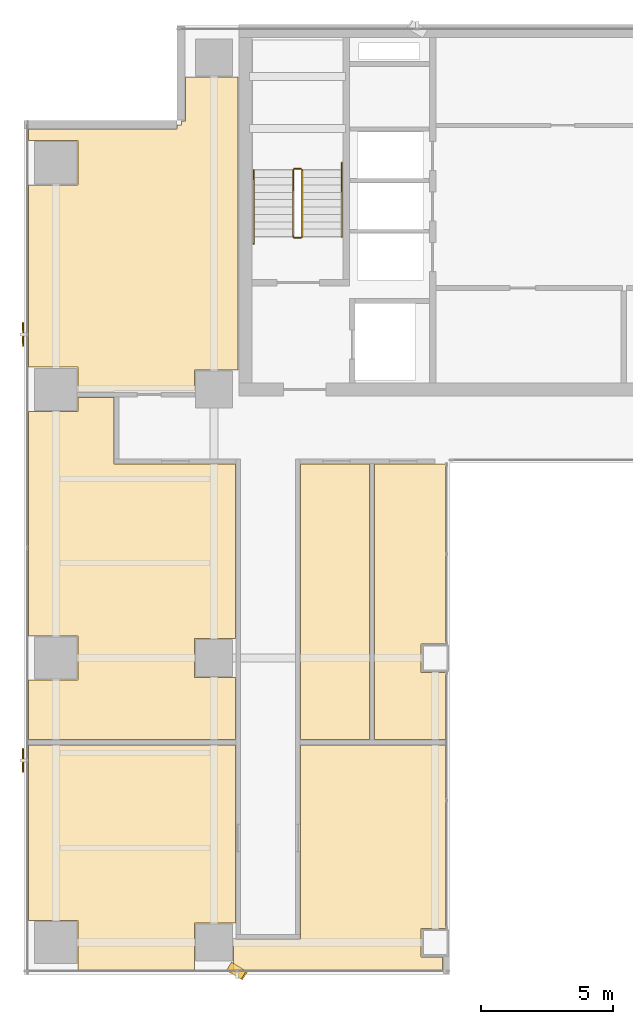
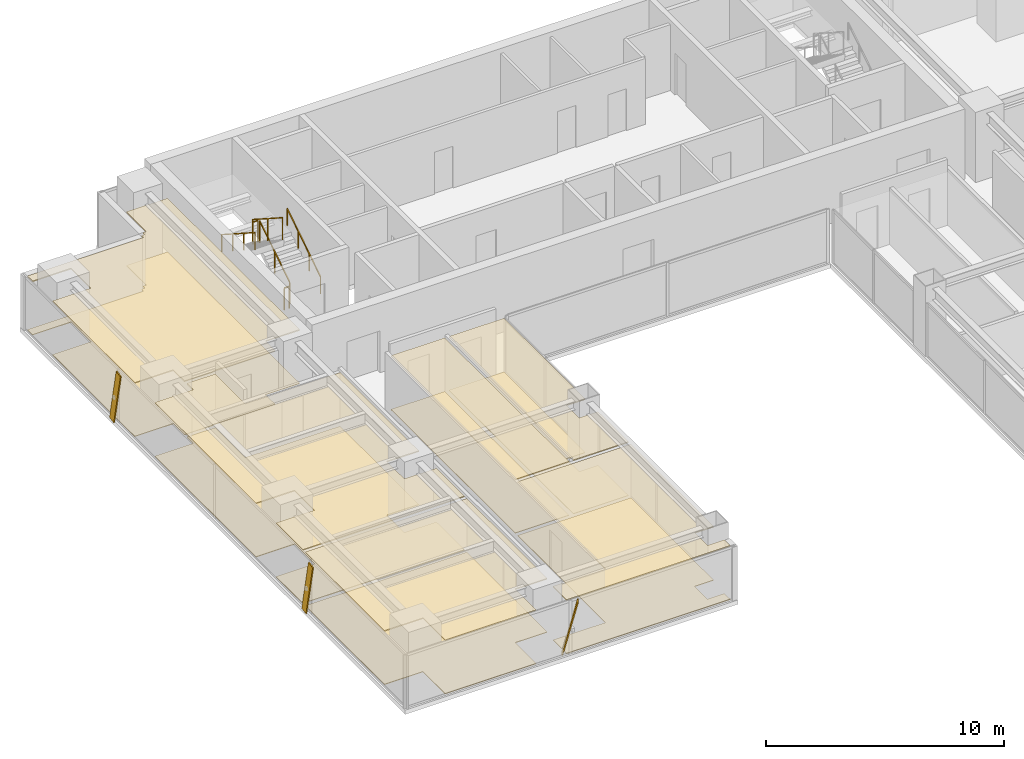
# One storey, part 28 of 31: 12 coverings, 6 railings, 3 shading devices.
"""IFC4 building model written with IfcOpenShell, lengths in metres."""

from ifc_helpers import new_model, si_unit, direction, frame, origin, origin_2d, place, context, subcontext, project, spatial, polyline, rectangle, outline, extrude, source, transform, mapped, material, layer, layer_set, material_profile, profile_set, type_object, element, save


model = new_model("IFC4")

# Units and contexts
model_context = context("Model", 3, precision=1e-05, world=origin(), true_north=direction((0.0, 1.0)))
body_context = subcontext(model_context, "Body", "Model", "MODEL_VIEW")
ifc_project = project(units=[si_unit("LENGTHUNIT", "METRE"), si_unit("AREAUNIT", "SQUARE_METRE"), si_unit("VOLUMEUNIT", "CUBIC_METRE"), si_unit("PLANEANGLEUNIT", "RADIAN"), si_unit("MASSUNIT", "GRAM", prefix="KILO")], contexts=[model_context])

# Site, building, storey
site_placement = place(None, origin())
site = spatial("IfcSite", under=ifc_project, at=site_placement, CompositionType="ELEMENT")
building_placement = place(site_placement, origin())
building = spatial("IfcBuilding", under=site, at=building_placement, Name="Sumidabori Civic Tower", CompositionType="ELEMENT")
storey_placement = place(building_placement, frame((0.0, 0.0, 221.60009765625)))
storey = spatial("IfcBuildingStorey", under=building, at=storey_placement, Name="L57", CompositionType="ELEMENT", Elevation=221.60009765625)

# Coverings
ifc_material_1 = material(Name="Anodised Bronze Baffle Ceiling")
ifc_layer_1 = layer(ifc_material_1, 0.054931640625, Name="Anodised Bronze Baffle Ceiling")
ifc_layer_set_1 = layer_set([ifc_layer_1], Name="Anodised Bronze Baffle Ceiling")
covering_type_1 = type_object("IfcCoveringType", Name="CV-CEIL-AC3", PredefinedType="CEILING", material=ifc_layer_set_1)
covering_1_placement = place(storey_placement, frame((0.0, 0.0, 2.72998046875)))
element("IfcCovering", 1, at=covering_1_placement, inside=storey, type_object=covering_type_1, Name="Room Acoustic Ceiling L57-01", PredefinedType="CEILING", context=body_context, shape_type="SweptSolid", body=[
    extrude(outline(polyline([(-23.830078125, 17.9599609375), (-21.9599609375, 17.9599609375), (-21.9599609375, 19.639892578125), (-23.830078125, 19.639892578125), (-23.830078125, 20.072021484375), (-18.19189453125, 20.072021484375), (-18.19189453125, 20.22998046875), (-18.030029296875, 20.22998046875), (-18.030029296875, 20.39208984375), (-17.8720703125, 20.39208984375), (-17.8720703125, 22.06005859375), (-15.8779296875, 22.06005859375), (-15.8779296875, 10.93994140625), (-17.5400390625, 10.93994140625), (-17.5400390625, 10.135009765625), (-20.5849609375, 10.135009765625), (-20.5849609375, 10.1025390625), (-21.9599609375, 10.1025390625), (-21.9599609375, 11.0400390625), (-23.830078125, 11.0400390625), (-23.830078125, 17.9599609375)])), origin(), (0.0, 0.0, 1.0), 0.054931640625),
])
covering_2_placement = place(storey_placement, frame((0.0, 0.0, 2.72998046875)))
element("IfcCovering", 2, at=covering_2_placement, inside=storey, type_object=covering_type_1, Name="Room Acoustic Ceiling L57-03", PredefinedType="CEILING", context=body_context, shape_type="SweptSolid", body=[
    extrude(outline(polyline([(-20.5673828125, 7.364990234375), (-15.985107421875, 7.364990234375), (-15.985107421875, 0.739990234375), (-17.5400390625, 0.739990234375), (-17.5400390625, -0.739990234375), (-15.985107421875, -0.739990234375), (-15.985107421875, -3.097412109375), (-23.830078125, -3.097412109375), (-23.830078125, -0.840087890625), (-21.9599609375, -0.840087890625), (-21.9599609375, 0.840087890625), (-23.830078125, 0.840087890625), (-23.830078125, 9.360107421875), (-21.9599609375, 9.360107421875), (-21.9599609375, 9.8974609375), (-20.5849609375, 9.8974609375), (-20.5849609375, 7.369384765625), (-20.5673828125, 7.364990234375)])), origin(), (0.0, 0.0, 1.0), 0.054931640625),
])
covering_3_placement = place(storey_placement, frame((0.0, 0.0, 2.72998046875)))
element("IfcCovering", 3, at=covering_3_placement, inside=storey, type_object=covering_type_1, Name="Room Acoustic Ceiling L57-05", PredefinedType="CEILING", context=body_context, shape_type="SweptSolid", body=[
    extrude(outline(polyline([(-10.697509765625, 7.364990234375), (-8.02001953125, 7.364990234375), (-8.02001953125, 0.5400390625), (-8.93994140625, 0.5400390625), (-8.93994140625, -0.5400390625), (-8.02001953125, -0.5400390625), (-8.02001953125, -3.097412109375), (-10.697509765625, -3.097412109375), (-10.697509765625, 7.364990234375)])), origin(), (0.0, 0.0, 1.0), 0.054931640625),
])
covering_4_placement = place(storey_placement, frame((0.0, 0.0, 2.72998046875)))
element("IfcCovering", 4, at=covering_4_placement, inside=storey, type_object=covering_type_1, Name="Room Acoustic Ceiling L57-07", PredefinedType="CEILING", context=body_context, shape_type="SweptSolid", body=[
    extrude(outline(polyline([(-13.514892578125, 7.364990234375), (-10.902587890625, 7.364990234375), (-10.902587890625, -3.097412109375), (-13.514892578125, -3.097412109375), (-13.514892578125, 7.364990234375)])), origin(), (0.0, 0.0, 1.0), 0.054931640625),
])
covering_5_placement = place(storey_placement, frame((0.0, 0.0, 2.72998046875)))
element("IfcCovering", 5, at=covering_5_placement, inside=storey, type_object=covering_type_1, Name="Room Acoustic Ceiling L57-09", PredefinedType="CEILING", context=body_context, shape_type="SweptSolid", body=[
    extrude(outline(polyline([(-23.830078125, -3.302490234375), (-15.985107421875, -3.302490234375), (-15.985107421875, -10.06005859375), (-17.5400390625, -10.06005859375), (-17.5400390625, -11.830078125), (-21.9599609375, -11.830078125), (-21.9599609375, -9.9599609375), (-23.830078125, -9.9599609375), (-23.830078125, -3.302490234375)])), origin(), (0.0, 0.0, 1.0), 0.054931640625),
])
covering_6_placement = place(storey_placement, frame((0.0, 0.0, 2.72998046875)))
element("IfcCovering", 6, at=covering_6_placement, inside=storey, type_object=covering_type_1, Name="Room Acoustic Ceiling L57-11", PredefinedType="CEILING", context=body_context, shape_type="SweptSolid", body=[
    extrude(outline(polyline([(-16.06005859375, -10.68505859375), (-13.514892578125, -10.68505859375), (-13.514892578125, -3.302490234375), (-8.02001953125, -3.302490234375), (-8.02001953125, -10.260009765625), (-8.93994140625, -10.260009765625), (-8.93994140625, -11.340087890625), (-8.117919921875, -11.341796875), (-8.117919921875, -11.830078125), (-16.06005859375, -11.830078125), (-16.06005859375, -10.68505859375)])), origin(), (0.0, 0.0, 1.0), 0.054931640625),
])
ifc_material_2 = material(Name="Honed Terrazzo Tile Flooring")
ifc_layer_2 = layer(ifc_material_2, 0.030029296875, Name="Honed Terrazzo Tile Flooring")
ifc_layer_set_2 = layer_set([ifc_layer_2], Name="Honed Terrazzo Tile Flooring")
covering_type_2 = type_object("IfcCoveringType", Name="CV-FLR-TER", PredefinedType="FLOORING", material=ifc_layer_set_2)
covering_7_placement = place(storey_placement, origin())
element("IfcCovering", 7, at=covering_7_placement, inside=storey, type_object=covering_type_2, Name="Room Terrazzo Floor L57-01", PredefinedType="FLOORING", context=body_context, shape_type="SweptSolid", body=[
    extrude(outline(polyline([(-23.830078125, 17.9599609375), (-21.9599609375, 17.9599609375), (-21.9599609375, 19.639892578125), (-23.830078125, 19.639892578125), (-23.830078125, 20.072021484375), (-18.19189453125, 20.072021484375), (-18.19189453125, 20.22998046875), (-18.030029296875, 20.22998046875), (-18.030029296875, 20.39208984375), (-17.8720703125, 20.39208984375), (-17.8720703125, 22.06005859375), (-15.8779296875, 22.06005859375), (-15.8779296875, 10.93994140625), (-17.5400390625, 10.93994140625), (-17.5400390625, 10.135009765625), (-20.5849609375, 10.135009765625), (-20.5849609375, 10.1025390625), (-21.9599609375, 10.1025390625), (-21.9599609375, 11.0400390625), (-23.830078125, 11.0400390625), (-23.830078125, 17.9599609375)])), origin(), (0.0, 0.0, 1.0), 0.02978515625),
])
covering_8_placement = place(storey_placement, origin())
element("IfcCovering", 8, at=covering_8_placement, inside=storey, type_object=covering_type_2, Name="Room Terrazzo Floor L57-03", PredefinedType="FLOORING", context=body_context, shape_type="SweptSolid", body=[
    extrude(outline(polyline([(-20.5673828125, 7.364990234375), (-15.985107421875, 7.364990234375), (-15.985107421875, 0.739990234375), (-17.5400390625, 0.739990234375), (-17.5400390625, -0.739990234375), (-15.985107421875, -0.739990234375), (-15.985107421875, -3.097412109375), (-23.830078125, -3.097412109375), (-23.830078125, -0.840087890625), (-21.9599609375, -0.840087890625), (-21.9599609375, 0.840087890625), (-23.830078125, 0.840087890625), (-23.830078125, 9.360107421875), (-21.9599609375, 9.360107421875), (-21.9599609375, 9.8974609375), (-20.5849609375, 9.8974609375), (-20.5849609375, 7.369384765625), (-20.5673828125, 7.364990234375)])), origin(), (0.0, 0.0, 1.0), 0.02978515625),
])
covering_9_placement = place(storey_placement, origin())
element("IfcCovering", 9, at=covering_9_placement, inside=storey, type_object=covering_type_2, Name="Room Terrazzo Floor L57-05", PredefinedType="FLOORING", context=body_context, shape_type="SweptSolid", body=[
    extrude(outline(polyline([(-10.697509765625, 7.364990234375), (-8.02001953125, 7.364990234375), (-8.02001953125, 0.5400390625), (-8.93994140625, 0.5400390625), (-8.93994140625, -0.5400390625), (-8.02001953125, -0.5400390625), (-8.02001953125, -3.097412109375), (-10.697509765625, -3.097412109375), (-10.697509765625, 7.364990234375)])), origin(), (0.0, 0.0, 1.0), 0.02978515625),
])
covering_10_placement = place(storey_placement, origin())
element("IfcCovering", 10, at=covering_10_placement, inside=storey, type_object=covering_type_2, Name="Room Terrazzo Floor L57-07", PredefinedType="FLOORING", context=body_context, shape_type="SweptSolid", body=[
    extrude(outline(polyline([(-13.514892578125, 7.364990234375), (-10.902587890625, 7.364990234375), (-10.902587890625, -3.097412109375), (-13.514892578125, -3.097412109375), (-13.514892578125, 7.364990234375)])), origin(), (0.0, 0.0, 1.0), 0.02978515625),
])
covering_11_placement = place(storey_placement, origin())
element("IfcCovering", 11, at=covering_11_placement, inside=storey, type_object=covering_type_2, Name="Room Terrazzo Floor L57-09", PredefinedType="FLOORING", context=body_context, shape_type="SweptSolid", body=[
    extrude(outline(polyline([(-23.830078125, -3.302490234375), (-15.985107421875, -3.302490234375), (-15.985107421875, -10.06005859375), (-17.5400390625, -10.06005859375), (-17.5400390625, -11.830078125), (-21.9599609375, -11.830078125), (-21.9599609375, -9.9599609375), (-23.830078125, -9.9599609375), (-23.830078125, -3.302490234375)])), origin(), (0.0, 0.0, 1.0), 0.02978515625),
])
covering_12_placement = place(storey_placement, origin())
element("IfcCovering", 12, at=covering_12_placement, inside=storey, type_object=covering_type_2, Name="Room Terrazzo Floor L57-11", PredefinedType="FLOORING", context=body_context, shape_type="SweptSolid", body=[
    extrude(outline(polyline([(-16.06005859375, -10.68505859375), (-13.514892578125, -10.68505859375), (-13.514892578125, -3.302490234375), (-8.02001953125, -3.302490234375), (-8.02001953125, -10.260009765625), (-8.93994140625, -10.260009765625), (-8.93994140625, -11.340087890625), (-8.117919921875, -11.341796875), (-8.117919921875, -11.830078125), (-16.06005859375, -11.830078125), (-16.06005859375, -10.68505859375)])), origin(), (0.0, 0.0, 1.0), 0.02978515625),
])

# Railings
ifc_material_3 = material(Name="Stainless Steel Hairline Finish", Category="steel")
railing_type_1 = type_object("IfcRailingType", Name="RL-HANDRAIL", PredefinedType="HANDRAIL", material=ifc_material_3)
railing_1_placement = place(storey_placement, frame((-11.949951171875, 16.0, 0.179931640625)))
element("IfcRailing", 13, at=railing_1_placement, inside=storey, type_object=railing_type_1, Name="L57 ST-1 stair handrail 1", PredefinedType="HANDRAIL", context=body_context, shape_type="SweptSolid", body=[
    extrude(rectangle(XDim=0.048095703125, YDim=0.048095703125, at=origin_2d()), frame((0.0, 0.0, 0.8759765625), z_axis=(0.0, 0.840675598268, 0.541539046124), x_axis=(-1.0, 0.0, 0.0)), (0.0, 0.0, 1.0), 3.330810546875),
    extrude(rectangle(XDim=0.0419921875, YDim=0.0419921875, at=origin_2d()), origin(), (0.0, 0.0, 1.0), 0.851806640625),
    extrude(rectangle(XDim=0.0419921875, YDim=0.0419921875, at=origin_2d()), frame((0.0, 0.933349609375, 0.601318359375)), (0.0, 0.0, 1.0), 0.851806640625),
    extrude(rectangle(XDim=0.0419921875, YDim=0.0419921875, at=origin_2d()), frame((0.0, 1.86669921875, 1.202392578125)), (0.0, 0.0, 1.0), 0.851806640625),
    extrude(rectangle(XDim=0.0419921875, YDim=0.0419921875, at=origin_2d()), frame((0.0, 2.800048828125, 1.8037109375)), (0.0, 0.0, 1.0), 0.851806640625),
])
railing_2_placement = place(storey_placement, frame((-15.2900390625, 18.52001953125, 1.97998046875)))
element("IfcRailing", 14, at=railing_2_placement, inside=storey, type_object=railing_type_1, Name="L57 ST-1 stair handrail 2", PredefinedType="HANDRAIL", context=body_context, shape_type="SweptSolid", body=[
    extrude(rectangle(XDim=0.048095703125, YDim=0.048095703125, at=origin_2d()), frame((0.0, 0.0, 0.8759765625), z_axis=(0.0, -0.840675598268, 0.541539046124), x_axis=(1.0, 0.0, 0.0)), (0.0, 0.0, 1.0), 3.330810546875),
    extrude(rectangle(XDim=0.0419921875, YDim=0.0419921875, at=origin_2d()), origin(), (0.0, 0.0, 1.0), 0.851806640625),
    extrude(rectangle(XDim=0.0419921875, YDim=0.0419921875, at=origin_2d()), frame((0.0, -0.933349609375, 0.601318359375)), (0.0, 0.0, 1.0), 0.851806640625),
    extrude(rectangle(XDim=0.0419921875, YDim=0.0419921875, at=origin_2d()), frame((0.0, -1.86669921875, 1.202392578125)), (0.0, 0.0, 1.0), 0.851806640625),
    extrude(rectangle(XDim=0.0419921875, YDim=0.0419921875, at=origin_2d()), frame((0.0, -2.800048828125, 1.8037109375)), (0.0, 0.0, 1.0), 0.851806640625),
])
ifc_material_4 = material(Name="Steel SN490", Category="steel")
railing_type_2 = type_object("IfcRailingType", Name="RL-STAIR-GUARD", PredefinedType="GUARDRAIL", material=ifc_material_4)
railing_3_placement = place(storey_placement, frame((-13.449951171875, 16.0, 0.179931640625)))
element("IfcRailing", 15, at=railing_3_placement, inside=storey, type_object=railing_type_2, Name="L57 ST-1 stair guard 1", PredefinedType="GUARDRAIL", context=body_context, shape_type="SweptSolid", body=[
    extrude(rectangle(XDim=0.048095703125, YDim=0.048095703125, at=origin_2d()), frame((0.0, 0.0, 1.1259765625), z_axis=(0.0, 0.841199657755, 0.540724639528), x_axis=(-1.0, 0.0, 0.0)), (0.0, 0.0, 1.0), 2.995849609375),
    extrude(rectangle(XDim=0.0419921875, YDim=0.0419921875, at=origin_2d()), origin(), (0.0, 0.0, 1.0), 1.101806640625),
    extrude(rectangle(XDim=0.0419921875, YDim=0.0419921875, at=origin_2d()), frame((0.0, 1.260009765625, 0.81005859375)), (0.0, 0.0, 1.0), 1.101806640625),
    extrude(rectangle(XDim=0.0419921875, YDim=0.0419921875, at=origin_2d()), frame((0.0, 2.52001953125, 1.619873046875)), (0.0, 0.0, 1.0), 1.101806640625),
])
railing_4_placement = place(storey_placement, frame((-13.5, 18.570068359375, 1.7998046875)))
element("IfcRailing", 16, at=railing_4_placement, inside=storey, type_object=railing_type_2, Name="L57 ST-1 stair guard 2", PredefinedType="GUARDRAIL", context=body_context, shape_type="SweptSolid", body=[
    extrude(rectangle(XDim=0.048095703125, YDim=0.048095703125, at=origin_2d()), frame((0.0, 0.0, 1.1259765625), z_axis=(-1.0, 0.0, 0.0), x_axis=(0.0, -1.0, 0.0)), (0.0, 0.0, 1.0), 0.239990234375),
    extrude(rectangle(XDim=0.0419921875, YDim=0.0419921875, at=origin_2d()), origin(), (0.0, 0.0, 1.0), 1.101806640625),
    extrude(rectangle(XDim=0.0419921875, YDim=0.0419921875, at=origin_2d()), frame((-0.239990234375, 0.0, 0.0)), (0.0, 0.0, 1.0), 1.101806640625),
])
railing_5_placement = place(storey_placement, frame((-13.7900390625, 18.52001953125, 1.97998046875)))
element("IfcRailing", 17, at=railing_5_placement, inside=storey, type_object=railing_type_2, Name="L57 ST-1 stair guard 3", PredefinedType="GUARDRAIL", context=body_context, shape_type="SweptSolid", body=[
    extrude(rectangle(XDim=0.048095703125, YDim=0.048095703125, at=origin_2d()), frame((0.0, 0.0, 1.1259765625), z_axis=(0.0, -0.841199657755, 0.540724639528), x_axis=(1.0, 0.0, 0.0)), (0.0, 0.0, 1.0), 2.995849609375),
    extrude(rectangle(XDim=0.0419921875, YDim=0.0419921875, at=origin_2d()), origin(), (0.0, 0.0, 1.0), 1.101806640625),
    extrude(rectangle(XDim=0.0419921875, YDim=0.0419921875, at=origin_2d()), frame((0.0, -1.260009765625, 0.81005859375)), (0.0, 0.0, 1.0), 1.101806640625),
    extrude(rectangle(XDim=0.0419921875, YDim=0.0419921875, at=origin_2d()), frame((0.0, -2.52001953125, 1.619873046875)), (0.0, 0.0, 1.0), 1.101806640625),
])
railing_6_placement = place(storey_placement, frame((-13.5, 15.949951171875, 0.0)))
element("IfcRailing", 18, at=railing_6_placement, inside=storey, type_object=railing_type_2, Name="L57 ST-1 stair guard 4", PredefinedType="GUARDRAIL", context=body_context, shape_type="SweptSolid", body=[
    extrude(rectangle(XDim=0.048095703125, YDim=0.048095703125, at=origin_2d()), frame((0.0, 0.0, 1.1259765625), z_axis=(-1.0, 0.0, 0.0), x_axis=(0.0, -1.0, 0.0)), (0.0, 0.0, 1.0), 0.239990234375),
    extrude(rectangle(XDim=0.0419921875, YDim=0.0419921875, at=origin_2d()), origin(), (0.0, 0.0, 1.0), 1.101806640625),
    extrude(rectangle(XDim=0.0419921875, YDim=0.0419921875, at=origin_2d()), frame((-0.239990234375, 0.0, 0.0)), (0.0, 0.0, 1.0), 1.101806640625),
])

# Shading devices
ifc_material_5 = material(Name="Anodised Bronze Aluminium AW-6063-T6", Category="aluminium")
ifc_material_profile = material_profile(ifc_material_5, rectangle(XDim=0.054931640625, YDim=0.360107421875, at=origin_2d()), Name="BRONZE FIN 360x55")
ifc_profile_set = profile_set([ifc_material_profile], Name="Anodised Bronze Aluminium AW-6063-T6")
shading_device_type = type_object("IfcShadingDeviceType", Name="SH-FIN-360", PredefinedType="USERDEFINED", material=ifc_profile_set)
shared_shape_1 = source(origin(), body_context, "Body", "SweptSolid", [
    extrude(rectangle(XDim=0.054931640625, YDim=0.360107421875, at=origin_2d()), origin(), (0.0, 0.0, 1.0), 2.7783203125),
])
shading_device_placement = place(storey_placement, frame((-16.205078125, -11.7099609375, 0.02001953125), z_axis=(0.201581748781, -0.122407748933, 0.971792746196), x_axis=(0.830641884105, -0.504395878186, -0.235836507862)))
element("IfcShadingDevice", 19, at=shading_device_placement, inside=storey, type_object=shading_device_type, Name="Bronze Anodised Diagonal Fin L57-01", ObjectType="FIN", PredefinedType="USERDEFINED", context=body_context, shape_type="MappedRepresentation", body=[
    mapped(shared_shape_1, transform((0.0, 0.0, 0.0), x_axis=(1.0, 0.0, 0.0), y_axis=(0.0, 1.0, 0.0), z_axis=(0.0, 0.0, 1.0), scale=1.0)),
])
shared_shape_2 = source(origin(), body_context, "Body", "SweptSolid", [
    extrude(rectangle(XDim=0.054931640625, YDim=0.360107421875, at=origin_2d()), origin(), (0.0, 0.0, 1.0), 2.75732421875),
])
for number, where, z_axis, x_axis, name in (
    (20, (-24.050048828125, 12.56494140625, 0.02001953125), (0.0, -0.203109150817, 0.979156102393), (-1.0, 0.0, 0.0), "Bronze Anodised Diagonal Fin L57-01"),
    (21, (-24.050048828125, -3.60498046875, 0.02001953125), (0.0, -0.203109150817, 0.979156102393), (-1.0, 0.0, 0.0), "Bronze Anodised Diagonal Fin L57-03"),
):
    element("IfcShadingDevice", number, at=place(storey_placement, frame(where, z_axis=z_axis, x_axis=x_axis)), inside=storey, type_object=shading_device_type, Name=name, ObjectType="FIN", PredefinedType="USERDEFINED", context=body_context, shape_type="MappedRepresentation", body=[
        mapped(shared_shape_2, transform((0.0, 0.0, 0.0), x_axis=(1.0, 0.0, 0.0), y_axis=(0.0, 1.0, 0.0), z_axis=(0.0, 0.0, 1.0), scale=1.0)),
    ])

save(model, "model.ifc")
